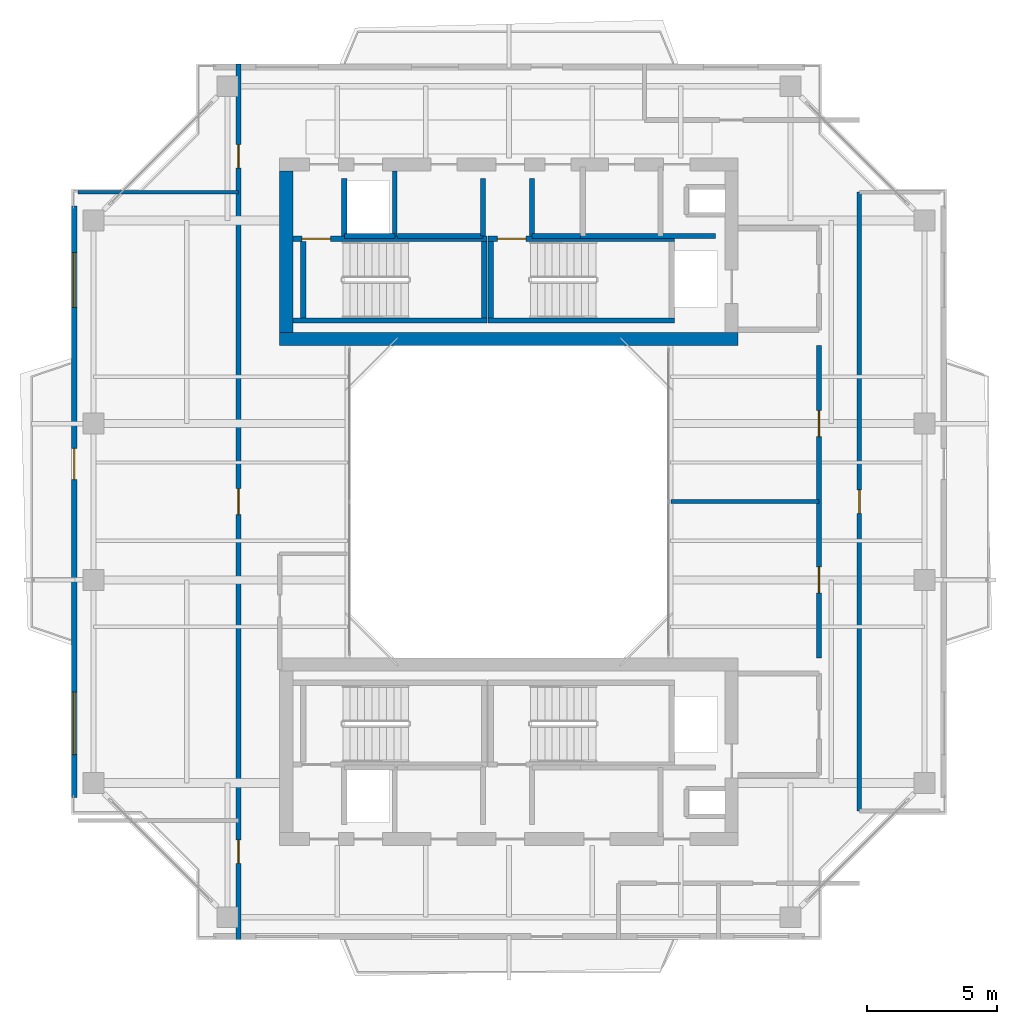
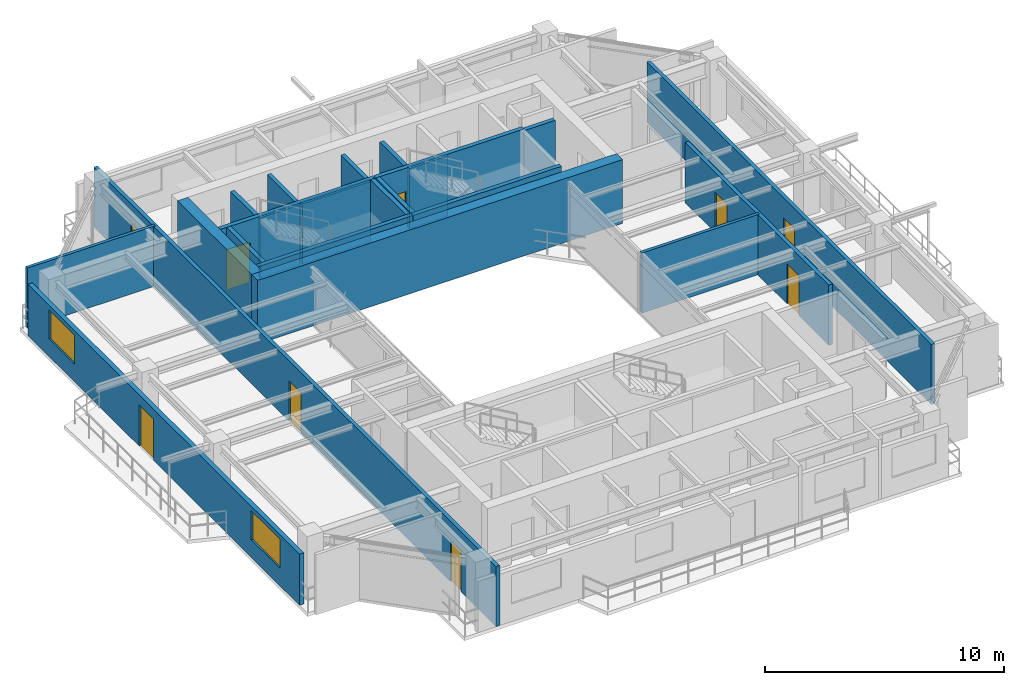
# One storey, part 11 of 15: 23 walls, 9 doors, 2 windows, 11 openings.
"""IFC4 building model written with IfcOpenShell, lengths in metres."""

from ifc_helpers import new_model, si_unit, direction, frame, frame_2d, origin, place, context, subcontext, project, spatial, rectangle, extrude, source, transform, mapped, material, layer, layer_set, type_object, element, fill, save


model = new_model("IFC4")

# Units and contexts
model_context = context("Model", 3, precision=1e-05, world=origin(), true_north=direction((0.0, 1.0)))
body_context = subcontext(model_context, "Body", "Model", "MODEL_VIEW")
ifc_project = project(units=[si_unit("LENGTHUNIT", "METRE"), si_unit("AREAUNIT", "SQUARE_METRE"), si_unit("VOLUMEUNIT", "CUBIC_METRE"), si_unit("PLANEANGLEUNIT", "RADIAN"), si_unit("MASSUNIT", "GRAM", prefix="KILO"), si_unit("THERMODYNAMICTEMPERATUREUNIT", "KELVIN"), si_unit("POWERUNIT", "WATT")], contexts=[model_context])

# Site, building, storey
site_placement = place(None, origin())
site = spatial("IfcSite", under=ifc_project, at=site_placement, CompositionType="ELEMENT")
building_placement = place(site_placement, origin())
building = spatial("IfcBuilding", under=site, at=building_placement, Name="Qiaomeng Ring Towers", CompositionType="ELEMENT")
storey_placement = place(building_placement, frame((0.0, 0.0, 226.25)))
storey = spatial("IfcBuildingStorey", under=building, at=storey_placement, Name="L66", CompositionType="ELEMENT", Elevation=226.25)

# Wall, openings, windows, door
ifc_material_1 = material(Name="Precast concrete C40", Category="concrete")
ifc_layer_1 = layer(ifc_material_1, 0.219970703125, Name="Precast concrete C40")
ifc_layer_set_1 = layer_set([ifc_layer_1], Name="Precast concrete C40")
wall_type_1 = type_object("IfcWallType", Name="ARC-WL-EW2", PredefinedType="STANDARD", material=ifc_layer_set_1)
wall_1_placement = place(storey_placement, frame((2.31005859375, 11.64990234375, 0.0), z_axis=(0.0, 0.0, 1.0), x_axis=(0.0, 1.0, 0.0)))
wall_1 = element("IfcWall", 1, at=wall_1_placement, inside=storey, type_object=wall_type_1, Name="L66 Tower 1 W Exterior Wall", PredefinedType="STANDARD", context=body_context, shape_type="SweptSolid", body=[
    extrude(rectangle(XDim=22.7001953125, YDim=0.219970703125, at=frame_2d((11.35009765625, 0.0))), origin(), (0.0, 0.0, 1.0), 2.610107421875),
])
opening_1_placement = place(wall_1_placement, frame((12.199951171875, 0.0, 0.0)))
opening_1 = element("IfcOpeningElement", 2, at=opening_1_placement, cuts=wall_1, Name="Opening BD1", PredefinedType="OPENING", context=body_context, shape_type="SweptSolid", body=[
    extrude(rectangle(XDim=1.199951171875, YDim=2.10009765625, at=frame_2d((0.60009765625, 1.050048828125))), frame((0.0, 0.119873046875, 0.0), z_axis=(0.0, -1.0, 0.0), x_axis=(1.0, 0.0, 0.0)), (0.0, 0.0, 1.0), 0.239990234375),
])
opening_2_placement = place(wall_1_placement, frame((1.637939453125, 0.0, 0.89990234375)))
opening_2 = element("IfcOpeningElement", 3, at=opening_2_placement, cuts=wall_1, Name="Opening WN6", PredefinedType="OPENING", context=body_context, shape_type="SweptSolid", body=[
    extrude(rectangle(XDim=2.39990234375, YDim=1.47998046875, at=frame_2d((1.199951171875, 0.739990234375))), frame((0.0, 0.119873046875, 0.0), z_axis=(0.0, -1.0, 0.0), x_axis=(1.0, 0.0, 0.0)), (0.0, 0.0, 1.0), 0.239990234375),
])
opening_3_placement = place(wall_1_placement, frame((18.81298828125, 0.0, 0.89990234375)))
opening_3 = element("IfcOpeningElement", 4, at=opening_3_placement, cuts=wall_1, Name="Opening WN4", PredefinedType="OPENING", context=body_context, shape_type="SweptSolid", body=[
    extrude(rectangle(XDim=2.10009765625, YDim=1.47998046875, at=frame_2d((1.050048828125, 0.739990234375))), frame((0.0, 0.119873046875, 0.0), z_axis=(0.0, -1.0, 0.0), x_axis=(1.0, 0.0, 0.0)), (0.0, 0.0, 1.0), 0.239990234375),
])
ifc_material_2 = material(Name="Low-E dark-grey laminated double glazing", Category="glass")
window_type_1 = type_object("IfcWindowType", Name="ARC-WN-4", PartitioningType="TRIPLE_PANEL_VERTICAL", PredefinedType="WINDOW", material=ifc_material_2)
shared_shape_1 = source(origin(), body_context, "Body", "SweptSolid", [
    extrude(rectangle(XDim=2.10009765625, YDim=1.47998046875, at=frame_2d((1.050048828125, 0.739990234375))), frame((0.0, 0.030029296875, 0.0), z_axis=(0.0, -1.0, 0.0), x_axis=(1.0, 0.0, 0.0)), (0.0, 0.0, 1.0), 0.06005859375),
])
window_1_placement = place(opening_3_placement, origin())
window_1 = element("IfcWindow", 5, at=window_1_placement, inside=storey, type_object=window_type_1, Name="L66 Exterior Window WN4", OverallHeight=1.47998046875, OverallWidth=2.10009765625, PartitioningType="TRIPLE_PANEL_VERTICAL", PredefinedType="WINDOW", context=body_context, shape_type="MappedRepresentation", body=[
    mapped(shared_shape_1, transform((0.0, 0.0, 0.0), x_axis=(1.0, 0.0, 0.0), y_axis=(0.0, 1.0, 0.0), z_axis=(0.0, 0.0, 1.0), scale=1.0)),
])
fill(opening_3, window_1)
window_type_2 = type_object("IfcWindowType", Name="ARC-WN-6", PartitioningType="TRIPLE_PANEL_VERTICAL", PredefinedType="WINDOW", material=ifc_material_2)
shared_shape_2 = source(origin(), body_context, "Body", "SweptSolid", [
    extrude(rectangle(XDim=2.39990234375, YDim=1.47998046875, at=frame_2d((1.199951171875, 0.739990234375))), frame((0.0, 0.030029296875, 0.0), z_axis=(0.0, -1.0, 0.0), x_axis=(1.0, 0.0, 0.0)), (0.0, 0.0, 1.0), 0.06005859375),
])
window_2_placement = place(opening_2_placement, origin())
window_2 = element("IfcWindow", 6, at=window_2_placement, inside=storey, type_object=window_type_2, Name="L66 Exterior Window WN6", OverallHeight=1.47998046875, OverallWidth=2.39990234375, PartitioningType="TRIPLE_PANEL_VERTICAL", PredefinedType="WINDOW", context=body_context, shape_type="MappedRepresentation", body=[
    mapped(shared_shape_2, transform((0.0, 0.0, 0.0), x_axis=(1.0, 0.0, 0.0), y_axis=(0.0, 1.0, 0.0), z_axis=(0.0, 0.0, 1.0), scale=1.0)),
])
fill(opening_2, window_2)
door_type_1 = type_object("IfcDoorType", Name="ARC-DR-BD1", OperationType="NOTDEFINED", PredefinedType="DOOR", material=ifc_material_2)
shared_shape_3 = source(origin(), body_context, "Body", "SweptSolid", [
    extrude(rectangle(XDim=1.199951171875, YDim=2.10009765625, at=frame_2d((0.60009765625, 1.050048828125))), frame((0.0, 0.02490234375, 0.0), z_axis=(0.0, -1.0, 0.0), x_axis=(1.0, 0.0, 0.0)), (0.0, 0.0, 1.0), 0.050048828125),
])
door_1_placement = place(opening_1_placement, frame((1.199951171875, 0.0, 0.0), z_axis=(0.0, 0.0, 1.0), x_axis=(-1.0, 0.0, 0.0)))
door_1 = element("IfcDoor", 7, at=door_1_placement, inside=storey, type_object=door_type_1, Name="L66 W Balcony Glazed Door", OperationType="SINGLE_SWING_LEFT", OverallHeight=2.10009765625, OverallWidth=1.199951171875, PredefinedType="DOOR", context=body_context, shape_type="MappedRepresentation", body=[
    mapped(shared_shape_3, transform((0.0, 0.0, 0.0), x_axis=(1.0, 0.0, 0.0), y_axis=(0.0, 1.0, 0.0), z_axis=(0.0, 0.0, 1.0), scale=1.0)),
])
fill(opening_1, door_1)

# Walls
ifc_material_3 = material(Name="Autoclaved aerated concrete block", Category="concrete")
ifc_layer_2 = layer(ifc_material_3, 0.199951171875, Name="Autoclaved aerated concrete block")
ifc_layer_set_2 = layer_set([ifc_layer_2], Name="Autoclaved aerated concrete block")
wall_type_2 = type_object("IfcWallType", Name="ARC-WL-PW1", PredefinedType="PARTITIONING", material=ifc_layer_set_2)
for number, where, z_axis, x_axis, name in (
    (8, (12.679931640625, 33.18994140625, 0.0), (0.0, 0.0, 1.0), (0.0, 1.0, 0.0), "L66 Interior Wall PW1"),
    (9, (18.0, 33.18994140625, 0.0), (0.0, 0.0, 1.0), (0.0, 1.0, 0.0), "L66 Interior Wall PW1"),
    (10, (19.8798828125, 33.18994140625, 0.0), (0.0, 0.0, 1.0), (0.0, 1.0, 0.0), "L66 Interior Wall PW1"),
):
    element("IfcWall", number, at=place(storey_placement, frame(where, z_axis=z_axis, x_axis=x_axis)), inside=storey, type_object=wall_type_2, Name=name, PredefinedType="PARTITIONING", context=body_context, shape_type="SweptSolid", body=[
        extrude(rectangle(XDim=2.2099609375, YDim=0.199951171875, at=frame_2d((1.10498046875, 0.0))), origin(), (0.0, 0.0, 1.0), 3.070068359375),
    ])
wall_2_placement = place(storey_placement, frame((14.719970703125, 33.199951171875, 0.0), z_axis=(0.0, 0.0, 1.0), x_axis=(1.0, 0.0, 0.0)))
element("IfcWall", 11, at=wall_2_placement, inside=storey, type_object=wall_type_2, Name="L66 Interior Wall PW1", PredefinedType="PARTITIONING", context=body_context, shape_type="SweptSolid", body=[
    extrude(rectangle(XDim=3.280029296875, YDim=0.199951171875, at=frame_2d((1.64013671875, 0.0))), origin(), (0.0, 0.0, 1.0), 3.070068359375),
])
wall_3_placement = place(storey_placement, frame((19.8798828125, 33.199951171875, 0.0), z_axis=(0.0, 0.0, 1.0), x_axis=(1.0, 0.0, 0.0)))
element("IfcWall", 12, at=wall_3_placement, inside=storey, type_object=wall_type_2, Name="L66 Interior Wall PW1", PredefinedType="PARTITIONING", context=body_context, shape_type="SweptSolid", body=[
    extrude(rectangle(XDim=1.8701171875, YDim=0.199951171875, at=frame_2d((0.93505859375, 0.0))), origin(), (0.0, 0.0, 1.0), 3.070068359375),
])
wall_4_placement = place(storey_placement, frame((21.75, 33.199951171875, 0.0), z_axis=(0.0, 0.0, 1.0), x_axis=(1.0, 0.0, 0.0)))
element("IfcWall", 13, at=wall_4_placement, inside=storey, type_object=wall_type_2, Name="L66 Interior Wall PW1", PredefinedType="PARTITIONING", context=body_context, shape_type="SweptSolid", body=[
    extrude(rectangle(XDim=5.169921875, YDim=0.199951171875, at=frame_2d((2.5849609375, 0.0))), origin(), (0.0, 0.0, 1.0), 3.070068359375),
])

# Wall, openings, doors
ifc_layer_3 = layer(ifc_material_3, 0.179931640625, Name="Autoclaved aerated concrete block")
ifc_layer_set_3 = layer_set([ifc_layer_3], Name="Autoclaved aerated concrete block")
wall_type_3 = type_object("IfcWallType", Name="ARC-WL-PW2", PredefinedType="PARTITIONING", material=ifc_layer_set_3)
wall_5_placement = place(storey_placement, frame((8.6201171875, 6.199951171875, 0.0), z_axis=(0.0, 0.0, 1.0), x_axis=(0.0, 1.0, 0.0)))
wall_5 = element("IfcWall", 14, at=wall_5_placement, inside=storey, type_object=wall_type_3, Name="L66 Interior Wall PW2", PredefinedType="PARTITIONING", context=body_context, shape_type="SweptSolid", body=[
    extrude(rectangle(XDim=33.60009765625, YDim=0.179931640625, at=frame_2d((16.800048828125, 0.0))), origin(), (0.0, 0.0, 1.0), 3.070068359375),
])
opening_4_placement = place(wall_5_placement, frame((29.60498046875, 0.0, 0.0)))
opening_4 = element("IfcOpeningElement", 15, at=opening_4_placement, cuts=wall_5, Name="Opening ID1", PredefinedType="OPENING", context=body_context, shape_type="SweptSolid", body=[
    extrude(rectangle(XDim=0.89990234375, YDim=2.050048828125, at=frame_2d((0.449951171875, 1.02490234375))), frame((0.0, 0.099853515625, 0.0), z_axis=(0.0, -1.0, 0.0), x_axis=(1.0, 0.0, 0.0)), (0.0, 0.0, 1.0), 0.199951171875),
])
opening_5_placement = place(wall_5_placement, frame((2.919921875, 0.0, 0.0)))
opening_5 = element("IfcOpeningElement", 16, at=opening_5_placement, cuts=wall_5, Name="Opening ID1", PredefinedType="OPENING", context=body_context, shape_type="SweptSolid", body=[
    extrude(rectangle(XDim=0.89990234375, YDim=2.050048828125, at=frame_2d((0.449951171875, 1.02490234375))), frame((0.0, 0.099853515625, 0.0), z_axis=(0.0, -1.0, 0.0), x_axis=(1.0, 0.0, 0.0)), (0.0, 0.0, 1.0), 0.199951171875),
])
opening_6_placement = place(wall_5_placement, frame((16.300048828125, 0.0, 0.0)))
opening_6 = element("IfcOpeningElement", 17, at=opening_6_placement, cuts=wall_5, Name="Opening FD4", PredefinedType="OPENING", context=body_context, shape_type="SweptSolid", body=[
    extrude(rectangle(XDim=1.0, YDim=2.050048828125, at=frame_2d((0.5, 1.02490234375))), frame((0.0, 0.099853515625, 0.0), z_axis=(0.0, -1.0, 0.0), x_axis=(1.0, 0.0, 0.0)), (0.0, 0.0, 1.0), 0.199951171875),
])
ifc_material_4 = material(Name="Engineered fire-rated oak timber", Category="wood")
door_type_2 = type_object("IfcDoorType", Name="ARC-DR-FD4", OperationType="NOTDEFINED", PredefinedType="DOOR", material=ifc_material_4)
shared_shape_4 = source(origin(), body_context, "Body", "SweptSolid", [
    extrude(rectangle(XDim=1.0, YDim=2.050048828125, at=frame_2d((0.5, 1.02490234375))), frame((0.0, 0.02490234375, 0.0), z_axis=(0.0, -1.0, 0.0), x_axis=(1.0, 0.0, 0.0)), (0.0, 0.0, 1.0), 0.050048828125),
])
door_2_placement = place(opening_6_placement, origin())
door_2 = element("IfcDoor", 18, at=door_2_placement, inside=storey, type_object=door_type_2, Name="L66 Door FD4", OperationType="SINGLE_SWING_LEFT", OverallHeight=2.050048828125, OverallWidth=1.0, PredefinedType="DOOR", context=body_context, shape_type="MappedRepresentation", body=[
    mapped(shared_shape_4, transform((0.0, 0.0, 0.0), x_axis=(1.0, 0.0, 0.0), y_axis=(0.0, 1.0, 0.0), z_axis=(0.0, 0.0, 1.0), scale=1.0)),
])
fill(opening_6, door_2)
ifc_material_5 = material(Name="Engineered oak timber", Category="wood")
door_type_3 = type_object("IfcDoorType", Name="ARC-DR-ID1", OperationType="NOTDEFINED", PredefinedType="DOOR", material=ifc_material_5)
shared_shape_5 = source(origin(), body_context, "Body", "SweptSolid", [
    extrude(rectangle(XDim=0.89990234375, YDim=2.050048828125, at=frame_2d((0.449951171875, 1.02490234375))), frame((0.0, 0.02490234375, 0.0), z_axis=(0.0, -1.0, 0.0), x_axis=(1.0, 0.0, 0.0)), (0.0, 0.0, 1.0), 0.050048828125),
])
door_3_placement = place(opening_4_placement, origin())
door_3 = element("IfcDoor", 19, at=door_3_placement, inside=storey, type_object=door_type_3, Name="L66 Door ID1", OperationType="SINGLE_SWING_LEFT", OverallHeight=2.050048828125, OverallWidth=0.89990234375, PredefinedType="DOOR", context=body_context, shape_type="MappedRepresentation", body=[
    mapped(shared_shape_5, transform((0.0, 0.0, 0.0), x_axis=(1.0, 0.0, 0.0), y_axis=(0.0, 1.0, 0.0), z_axis=(0.0, 0.0, 1.0), scale=1.0)),
])
fill(opening_4, door_3)
door_4_placement = place(opening_5_placement, origin())
door_4 = element("IfcDoor", 20, at=door_4_placement, inside=storey, type_object=door_type_3, Name="L66 Door ID1", OperationType="SINGLE_SWING_RIGHT", OverallHeight=2.050048828125, OverallWidth=0.89990234375, PredefinedType="DOOR", context=body_context, shape_type="MappedRepresentation", body=[
    mapped(shared_shape_5, transform((0.0, 0.0, 0.0), x_axis=(1.0, 0.0, 0.0), y_axis=(0.0, 1.0, 0.0), z_axis=(0.0, 0.0, 1.0), scale=1.0)),
])
fill(opening_5, door_4)

wall_6_placement = place(storey_placement, frame((30.89990234375, 17.0, 0.0), z_axis=(0.0, 0.0, 1.0), x_axis=(0.0, 1.0, 0.0)))
wall_6 = element("IfcWall", 21, at=wall_6_placement, inside=storey, type_object=wall_type_3, Name="L66 Interior Wall PW2", PredefinedType="PARTITIONING", context=body_context, shape_type="SweptSolid", body=[
    extrude(rectangle(XDim=12.0, YDim=0.179931640625, at=frame_2d((6.0, 0.0))), origin(), (0.0, 0.0, 1.0), 3.070068359375),
])
opening_7_placement = place(wall_6_placement, frame((2.5, 0.0, 0.0)))
opening_7 = element("IfcOpeningElement", 22, at=opening_7_placement, cuts=wall_6, Name="Opening FD4", PredefinedType="OPENING", context=body_context, shape_type="SweptSolid", body=[
    extrude(rectangle(XDim=1.0, YDim=2.050048828125, at=frame_2d((0.5, 1.02490234375))), frame((0.0, 0.099853515625, 0.0), z_axis=(0.0, -1.0, 0.0), x_axis=(1.0, 0.0, 0.0)), (0.0, 0.0, 1.0), 0.199951171875),
])
opening_8_placement = place(wall_6_placement, frame((8.5, 0.0, 0.0)))
opening_8 = element("IfcOpeningElement", 23, at=opening_8_placement, cuts=wall_6, Name="Opening FD4", PredefinedType="OPENING", context=body_context, shape_type="SweptSolid", body=[
    extrude(rectangle(XDim=1.0, YDim=2.050048828125, at=frame_2d((0.5, 1.02490234375))), frame((0.0, 0.099853515625, 0.0), z_axis=(0.0, -1.0, 0.0), x_axis=(1.0, 0.0, 0.0)), (0.0, 0.0, 1.0), 0.199951171875),
])
door_5_placement = place(opening_7_placement, origin())
door_5 = element("IfcDoor", 24, at=door_5_placement, inside=storey, type_object=door_type_2, Name="L66 Door FD4", OperationType="SINGLE_SWING_LEFT", OverallHeight=2.050048828125, OverallWidth=1.0, PredefinedType="DOOR", context=body_context, shape_type="MappedRepresentation", body=[
    mapped(shared_shape_4, transform((0.0, 0.0, 0.0), x_axis=(1.0, 0.0, 0.0), y_axis=(0.0, 1.0, 0.0), z_axis=(0.0, 0.0, 1.0), scale=1.0)),
])
fill(opening_7, door_5)
door_6_placement = place(opening_8_placement, origin())
door_6 = element("IfcDoor", 25, at=door_6_placement, inside=storey, type_object=door_type_2, Name="L66 Door FD4", OperationType="SINGLE_SWING_RIGHT", OverallHeight=2.050048828125, OverallWidth=1.0, PredefinedType="DOOR", context=body_context, shape_type="MappedRepresentation", body=[
    mapped(shared_shape_4, transform((0.0, 0.0, 0.0), x_axis=(1.0, 0.0, 0.0), y_axis=(0.0, 1.0, 0.0), z_axis=(0.0, 0.0, 1.0), scale=1.0)),
])
fill(opening_8, door_6)

# Wall, opening, door
wall_7_placement = place(storey_placement, frame((32.449951171875, 11.1201171875, 0.0), z_axis=(0.0, 0.0, 1.0), x_axis=(0.0, 1.0, 0.0)))
wall_7 = element("IfcWall", 26, at=wall_7_placement, inside=storey, type_object=wall_type_3, Name="L66 Interior Wall PW2", PredefinedType="PARTITIONING", context=body_context, shape_type="SweptSolid", body=[
    extrude(rectangle(XDim=23.759765625, YDim=0.179931640625, at=frame_2d((11.8798828125, 0.0))), origin(), (0.0, 0.0, 1.0), 3.070068359375),
])
opening_9_placement = place(wall_7_placement, frame((11.429931640625, 0.0, 0.0)))
opening_9 = element("IfcOpeningElement", 27, at=opening_9_placement, cuts=wall_7, Name="Opening ID1", PredefinedType="OPENING", context=body_context, shape_type="SweptSolid", body=[
    extrude(rectangle(XDim=0.89990234375, YDim=2.050048828125, at=frame_2d((0.449951171875, 1.02490234375))), frame((0.0, 0.099853515625, 0.0), z_axis=(0.0, -1.0, 0.0), x_axis=(1.0, 0.0, 0.0)), (0.0, 0.0, 1.0), 0.199951171875),
])
door_7_placement = place(opening_9_placement, origin())
door_7 = element("IfcDoor", 28, at=door_7_placement, inside=storey, type_object=door_type_3, Name="L66 Door ID1", OperationType="SINGLE_SWING_LEFT", OverallHeight=2.050048828125, OverallWidth=0.89990234375, PredefinedType="DOOR", context=body_context, shape_type="MappedRepresentation", body=[
    mapped(shared_shape_5, transform((0.0, 0.0, 0.0), x_axis=(1.0, 0.0, 0.0), y_axis=(0.0, 1.0, 0.0), z_axis=(0.0, 0.0, 1.0), scale=1.0)),
])
fill(opening_9, door_7)

# Walls
ifc_material_6 = material(Name="Gypsum fireboard steel-stud partition", Category="steel")
ifc_layer_4 = layer(ifc_material_6, 0.14990234375, Name="Gypsum fireboard steel-stud partition")
ifc_layer_set_4 = layer_set([ifc_layer_4], Name="Gypsum fireboard steel-stud partition")
wall_type_4 = type_object("IfcWallType", Name="ARC-WL-PW3", PredefinedType="PARTITIONING", material=ifc_layer_set_4)
wall_8_placement = place(storey_placement, frame((2.449951171875, 34.8798828125, 0.0), z_axis=(0.0, 0.0, 1.0), x_axis=(1.0, 0.0, 0.0)))
element("IfcWall", 29, at=wall_8_placement, inside=storey, type_object=wall_type_4, Name="L66 Interior Wall PW3", PredefinedType="PARTITIONING", context=body_context, shape_type="SweptSolid", body=[
    extrude(rectangle(XDim=6.170166015625, YDim=0.14990234375, at=frame_2d((3.0849609375, 0.0))), origin(), (0.0, 0.0, 1.0), 3.070068359375),
])
wall_9_placement = place(storey_placement, frame((25.219970703125, 23.0, 0.0), z_axis=(0.0, 0.0, 1.0), x_axis=(1.0, 0.0, 0.0)))
element("IfcWall", 30, at=wall_9_placement, inside=storey, type_object=wall_type_4, Name="L66 Interior Wall PW3", PredefinedType="PARTITIONING", context=body_context, shape_type="SweptSolid", body=[
    extrude(rectangle(XDim=5.679931640625, YDim=0.14990234375, at=frame_2d((2.83984375, 0.0))), origin(), (0.0, 0.0, 1.0), 3.070068359375),
])
ifc_material_7 = material(Name="Concrete C40", Category="concrete")
ifc_layer_5 = layer(ifc_material_7, 0.199951171875, Name="Concrete C40")
ifc_layer_set_5 = layer_set([ifc_layer_5], Name="Concrete C40")
wall_type_5 = type_object("IfcWallType", Name="STR-WL-STSHAFT", PredefinedType="SHEAR", material=ifc_layer_set_5)
wall_10_placement = place(storey_placement, frame((12.679931640625, 33.199951171875, 0.0), z_axis=(0.0, 0.0, 1.0), x_axis=(1.0, 0.0, 0.0)))
element("IfcWall", 31, at=wall_10_placement, inside=storey, type_object=wall_type_5, Name="L66 Lift LP5 Shaft Back Wall", PredefinedType="SHEAR", context=body_context, shape_type="SweptSolid", body=[
    extrude(rectangle(XDim=1.940185546875, YDim=0.179931640625, at=frame_2d((0.97021484375, 0.0))), origin(), (0.0, 0.0, 1.0), 3.070068359375),
])
wall_11_placement = place(storey_placement, frame((14.6201171875, 33.199951171875, 0.0), z_axis=(0.0, 0.0, 1.0), x_axis=(0.0, 1.0, 0.0)))
element("IfcWall", 32, at=wall_11_placement, inside=storey, type_object=wall_type_5, Name="L66 Lift LP5-LP3 Shaft Divider Wall", PredefinedType="SHEAR", context=body_context, shape_type="SweptSolid", body=[
    extrude(rectangle(XDim=2.5, YDim=0.179931640625, at=frame_2d((1.25, 0.0))), origin(), (0.0, 0.0, 1.0), 3.070068359375),
])
wall_12_placement = place(storey_placement, frame((10.699951171875, 29.949951171875, 0.0), z_axis=(0.0, 0.0, 1.0), x_axis=(1.0, 0.0, 0.0)))
element("IfcWall", 33, at=wall_12_placement, inside=storey, type_object=wall_type_5, Name="L66 Stair ST1 South Shaft Shear Wall", PredefinedType="SHEAR", context=body_context, shape_type="SweptSolid", body=[
    extrude(rectangle(XDim=7.449951171875, YDim=0.199951171875, at=frame_2d((3.72509765625, 0.0))), origin(), (0.0, 0.0, 1.0), 3.25),
])

# Wall, opening, door
wall_13_placement = place(storey_placement, frame((10.699951171875, 33.090087890625, 0.0), z_axis=(0.0, 0.0, 1.0), x_axis=(1.0, 0.0, 0.0)))
wall_13 = element("IfcWall", 34, at=wall_13_placement, inside=storey, type_object=wall_type_5, Name="L66 Stair ST1 North Shaft Shear Wall", PredefinedType="SHEAR", context=body_context, shape_type="SweptSolid", body=[
    extrude(rectangle(XDim=7.449951171875, YDim=0.199951171875, at=frame_2d((3.72509765625, 0.0))), origin(), (0.0, 0.0, 1.0), 3.25),
])
opening_10_placement = place(wall_13_placement, frame((0.35009765625, 0.0, 0.0)))
opening_10 = element("IfcOpeningElement", 35, at=opening_10_placement, cuts=wall_13, Name="Opening FD3", PredefinedType="OPENING", context=body_context, shape_type="SweptSolid", body=[
    extrude(rectangle(XDim=1.10009765625, YDim=2.050048828125, at=frame_2d((0.550048828125, 1.02490234375))), frame((0.0, 0.10986328125, 0.0), z_axis=(0.0, -1.0, 0.0), x_axis=(1.0, 0.0, 0.0)), (0.0, 0.0, 1.0), 0.219970703125),
])
ifc_material_8 = material(Name="Galvanised steel", Category="steel")
door_type_4 = type_object("IfcDoorType", Name="ARC-DR-FD3", OperationType="NOTDEFINED", PredefinedType="DOOR", material=ifc_material_8)
shared_shape_6 = source(origin(), body_context, "Body", "SweptSolid", [
    extrude(rectangle(XDim=1.10009765625, YDim=2.050048828125, at=frame_2d((0.550048828125, 1.02490234375))), frame((0.0, 0.02490234375, 0.0), z_axis=(0.0, -1.0, 0.0), x_axis=(1.0, 0.0, 0.0)), (0.0, 0.0, 1.0), 0.050048828125),
])
door_8_placement = place(opening_10_placement, origin())
door_8 = element("IfcDoor", 36, at=door_8_placement, inside=storey, type_object=door_type_4, Name="L66 Stair ST1 Exit Door", OperationType="SINGLE_SWING_RIGHT", OverallHeight=2.050048828125, OverallWidth=1.10009765625, PredefinedType="DOOR", context=body_context, shape_type="MappedRepresentation", body=[
    mapped(shared_shape_6, transform((0.0, 0.0, 0.0), x_axis=(1.0, 0.0, 0.0), y_axis=(0.0, 1.0, 0.0), z_axis=(0.0, 0.0, 1.0), scale=1.0)),
])
fill(opening_10, door_8)

# Walls
for number, where, z_axis, x_axis, name in (
    (37, (11.10009765625, 30.050048828125, 0.0), (0.0, 0.0, 1.0), (0.0, 1.0, 0.0), "L66 Stair ST1 West Shaft Shear Wall"),
    (38, (18.050048828125, 30.050048828125, 0.0), (0.0, 0.0, 1.0), (0.0, 1.0, 0.0), "L66 Stair ST1 East Shaft Shear Wall"),
):
    element("IfcWall", number, at=place(storey_placement, frame(where, z_axis=z_axis, x_axis=x_axis)), inside=storey, type_object=wall_type_5, Name=name, PredefinedType="SHEAR", context=body_context, shape_type="SweptSolid", body=[
        extrude(rectangle(XDim=2.93994140625, YDim=0.199951171875, at=frame_2d((1.469970703125, 0.0))), origin(), (0.0, 0.0, 1.0), 3.25),
    ])
wall_14_placement = place(storey_placement, frame((18.199951171875, 29.949951171875, 0.0), z_axis=(0.0, 0.0, 1.0), x_axis=(1.0, 0.0, 0.0)))
element("IfcWall", 39, at=wall_14_placement, inside=storey, type_object=wall_type_5, Name="L66 Stair ST2 South Shaft Shear Wall", PredefinedType="SHEAR", context=body_context, shape_type="SweptSolid", body=[
    extrude(rectangle(XDim=7.150146484375, YDim=0.199951171875, at=frame_2d((3.5751953125, 0.0))), origin(), (0.0, 0.0, 1.0), 3.25),
])

# Wall, opening, door
wall_15_placement = place(storey_placement, frame((18.199951171875, 33.090087890625, 0.0), z_axis=(0.0, 0.0, 1.0), x_axis=(1.0, 0.0, 0.0)))
wall_15 = element("IfcWall", 40, at=wall_15_placement, inside=storey, type_object=wall_type_5, Name="L66 Stair ST2 North Shaft Shear Wall", PredefinedType="SHEAR", context=body_context, shape_type="SweptSolid", body=[
    extrude(rectangle(XDim=7.150146484375, YDim=0.199951171875, at=frame_2d((3.5751953125, 0.0))), origin(), (0.0, 0.0, 1.0), 3.25),
])
opening_11_placement = place(wall_15_placement, frame((0.35009765625, 0.0, 0.0)))
opening_11 = element("IfcOpeningElement", 41, at=opening_11_placement, cuts=wall_15, Name="Opening FD3", PredefinedType="OPENING", context=body_context, shape_type="SweptSolid", body=[
    extrude(rectangle(XDim=1.10009765625, YDim=2.050048828125, at=frame_2d((0.550048828125, 1.02490234375))), frame((0.0, 0.10986328125, 0.0), z_axis=(0.0, -1.0, 0.0), x_axis=(1.0, 0.0, 0.0)), (0.0, 0.0, 1.0), 0.219970703125),
])
door_9_placement = place(opening_11_placement, origin())
door_9 = element("IfcDoor", 42, at=door_9_placement, inside=storey, type_object=door_type_4, Name="L66 Stair ST2 Exit Door", OperationType="SINGLE_SWING_RIGHT", OverallHeight=2.050048828125, OverallWidth=1.10009765625, PredefinedType="DOOR", context=body_context, shape_type="MappedRepresentation", body=[
    mapped(shared_shape_6, transform((0.0, 0.0, 0.0), x_axis=(1.0, 0.0, 0.0), y_axis=(0.0, 1.0, 0.0), z_axis=(0.0, 0.0, 1.0), scale=1.0)),
])
fill(opening_11, door_9)

# Walls
wall_16_placement = place(storey_placement, frame((18.300048828125, 30.050048828125, 0.0), z_axis=(0.0, 0.0, 1.0), x_axis=(0.0, 1.0, 0.0)))
element("IfcWall", 43, at=wall_16_placement, inside=storey, type_object=wall_type_5, Name="L66 Stair ST2 West Shaft Shear Wall", PredefinedType="SHEAR", context=body_context, shape_type="SweptSolid", body=[
    extrude(rectangle(XDim=2.93994140625, YDim=0.199951171875, at=frame_2d((1.469970703125, 0.0))), origin(), (0.0, 0.0, 1.0), 3.25),
])
ifc_layer_6 = layer(ifc_material_7, 0.5, Name="Concrete C40")
ifc_layer_set_6 = layer_set([ifc_layer_6], Name="Concrete C40")
wall_type_6 = type_object("IfcWallType", Name="STR-WL-SW3", PredefinedType="SHEAR", material=ifc_layer_set_6)
wall_17_placement = place(storey_placement, frame((10.199951171875, 29.25, 0.0), z_axis=(0.0, 0.0, 1.0), x_axis=(1.0, 0.0, 0.0)))
element("IfcWall", 44, at=wall_17_placement, inside=storey, type_object=wall_type_6, Name="L66 T1NC south core shear wall", PredefinedType="SHEAR", context=body_context, shape_type="SweptSolid", body=[
    extrude(rectangle(XDim=17.60009765625, YDim=0.5, at=frame_2d((8.800048828125, 0.0))), origin(), (0.0, 0.0, 1.0), 3.25),
])
wall_18_placement = place(storey_placement, frame((10.449951171875, 29.5, 0.0), z_axis=(0.0, 0.0, 1.0), x_axis=(0.0, 1.0, 0.0)))
element("IfcWall", 45, at=wall_18_placement, inside=storey, type_object=wall_type_6, Name="L66 T1NC west core shear wall", PredefinedType="SHEAR", context=body_context, shape_type="SweptSolid", body=[
    extrude(rectangle(XDim=6.199951171875, YDim=0.5, at=frame_2d((3.10009765625, 0.0))), origin(), (0.0, 0.0, 1.0), 3.25),
])

save(model, "model.ifc")
